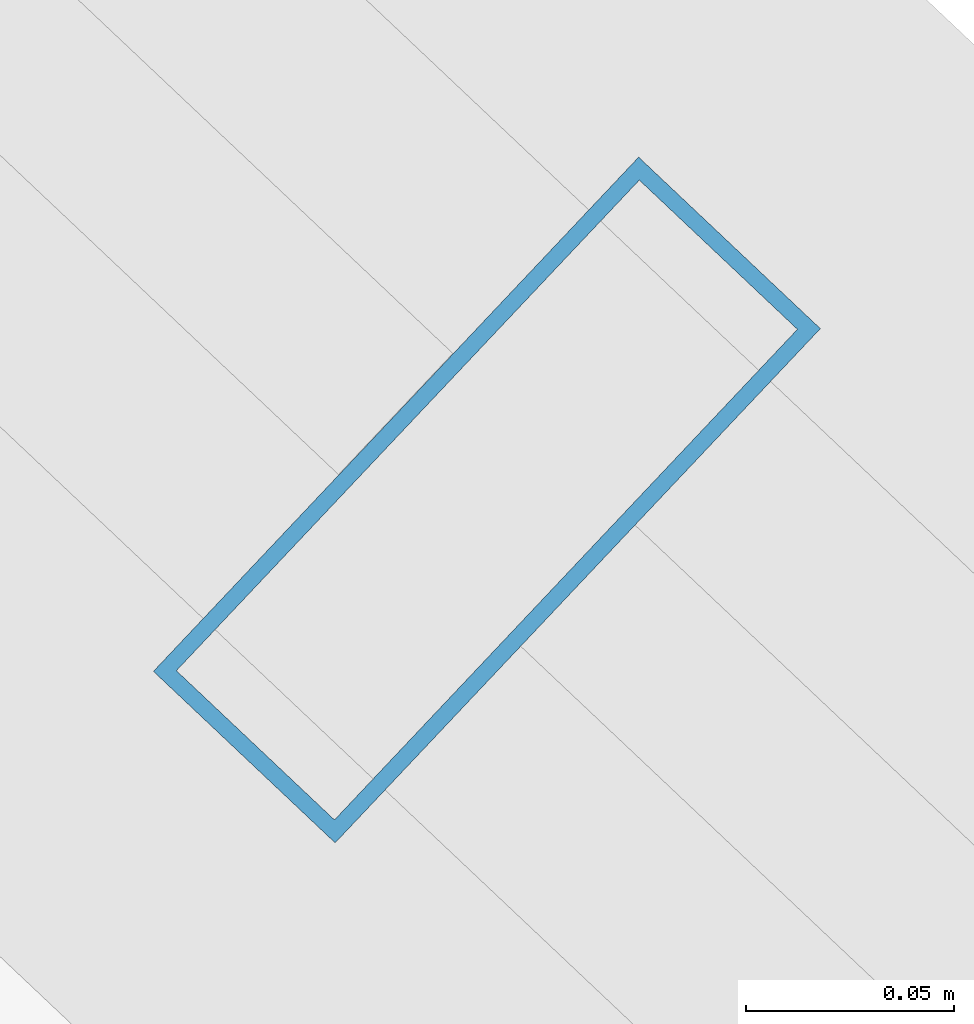
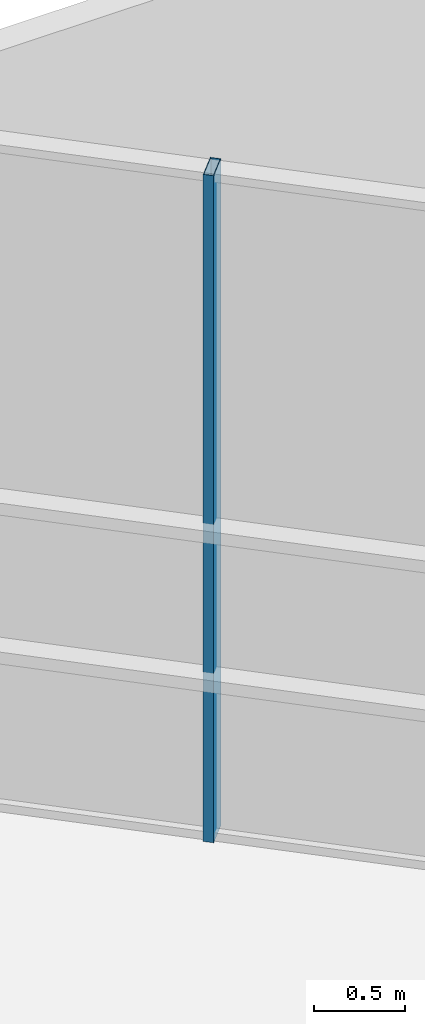
# One storey, part 31 of 41: 1 member, 1 element without a shape of its own.
"""IFC4 building model written with IfcOpenShell, lengths in metres."""

from ifc_helpers import new_model, si_unit, direction, frame, origin, origin_2d, place, context, subcontext, project, spatial, hollow_rectangle, extrude, source, transform, mapped, material, layer, layer_set, material_profile, profile_set, type_object, element, aggregate, save


model = new_model("IFC4")

# Units and contexts
model_context = context("Model", 3, precision=1e-05, world=origin(), true_north=direction((0.0, 1.0)))
body_context = subcontext(model_context, "Body", "Model", "MODEL_VIEW")
ifc_project = project(units=[si_unit("LENGTHUNIT", "METRE"), si_unit("AREAUNIT", "SQUARE_METRE"), si_unit("VOLUMEUNIT", "CUBIC_METRE"), si_unit("PLANEANGLEUNIT", "RADIAN"), si_unit("MASSUNIT", "GRAM", prefix="KILO")], contexts=[model_context])

# Site, building, storey
site_placement = place(None, origin())
site = spatial("IfcSite", under=ifc_project, at=site_placement, CompositionType="ELEMENT")
building_placement = place(site_placement, origin())
building = spatial("IfcBuilding", under=site, at=building_placement, Name="Veraguas Prism Commons", CompositionType="ELEMENT")
storey_placement = place(building_placement, frame((0.0, 0.0, 80.35009765625)))
storey = spatial("IfcBuildingStorey", under=building, at=storey_placement, Name="L22", CompositionType="ELEMENT", Elevation=80.35009765625)

# Curtain wall, member
ifc_material = material(Name="Anodised aluminium EN AW-6063 T6", Category="aluminium")
ifc_layer = layer(ifc_material, 0.169921875, Name="Unitised Flush Curtain Wall Zone 1", Category="aluminium")
ifc_layer_set = layer_set([ifc_layer], Name="Anodised aluminium EN AW-6063 T6")
curtain_wall_type = type_object("IfcCurtainWallType", Name="Unitised Flush Curtain Wall Zone 1", PredefinedType="NOTDEFINED", material=ifc_layer_set)
curtain_wall_placement = place(storey_placement, origin())
curtain_wall = element("IfcCurtainWall", 1, at=curtain_wall_placement, inside=storey, type_object=curtain_wall_type, Name="Tower Facade Curtain Wall L22-F1", PredefinedType="NOTDEFINED")
ifc_material_profile = material_profile(ifc_material, hollow_rectangle(XDim=0.06005859375, YDim=0.169921875, WallThickness=0.00390625, at=origin_2d()), Name="AL60X170X4")
ifc_profile_set = profile_set([ifc_material_profile], Name="Anodised aluminium EN AW-6063 T6")
member_type = type_object("IfcMemberType", Name="Curtain Wall Mullion Lower AL 60x170x4", PredefinedType="MULLION", material=ifc_profile_set)
shared_shape = source(origin(), body_context, "Body", "SweptSolid", [
    extrude(hollow_rectangle(XDim=0.06005859375, YDim=0.169921875, WallThickness=0.00390625, at=origin_2d()), origin(), (0.0, 0.0, 1.0), 4.47998046875),
])
member_placement = place(storey_placement, frame((38.26513671875, 39.116455078125, 0.0), z_axis=(0.0, 0.0, 1.0), x_axis=(-0.727294986673, 0.686324997621, 0.0)))
member = element("IfcMember", 2, at=member_placement, type_object=member_type, Name="CW-Z1 Mullion 3", PredefinedType="MULLION", context=body_context, shape_type="MappedRepresentation", body=[
    mapped(shared_shape, transform((0.0, 0.0, 0.0), scale=1.0)),
])
aggregate(curtain_wall, [member])

save(model, "model.ifc")
